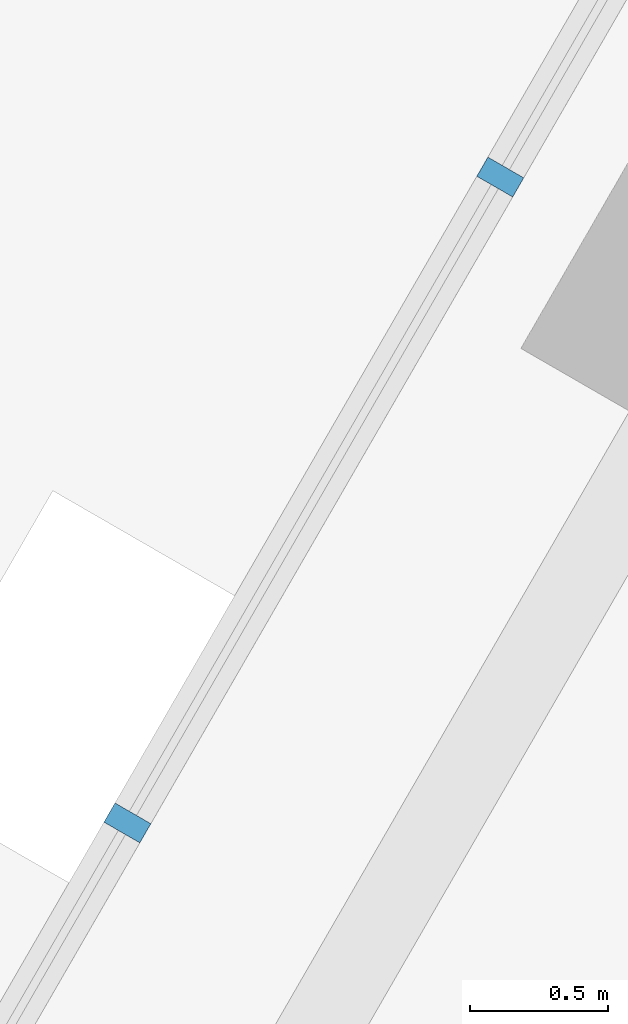
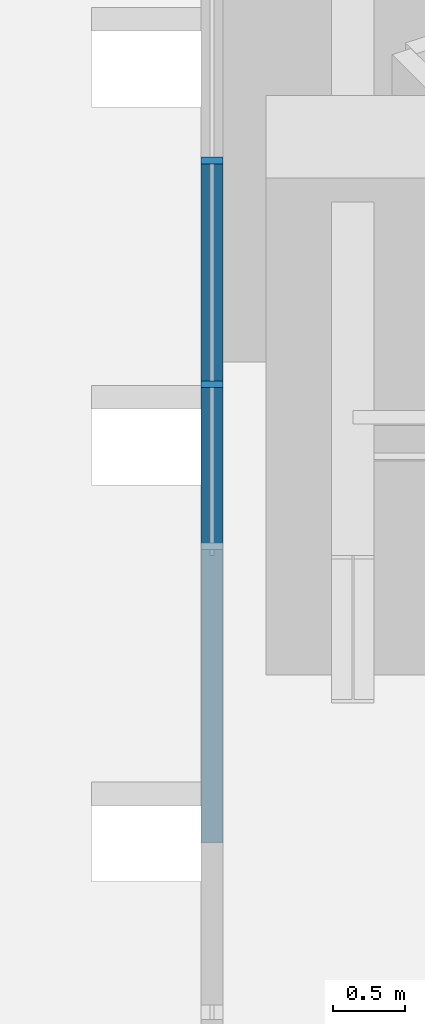
# One storey, part 7 of 25: 2 members, 1 element without a shape of its own.
"""IFC4 building model written with IfcOpenShell, lengths in metres."""

from ifc_helpers import new_model, si_unit, direction, frame, origin, origin_2d, place, context, subcontext, project, spatial, rectangle, extrude, material, layer, layer_set, material_profile, profile_set, type_object, element, aggregate, save


model = new_model("IFC4")

# Units and contexts
model_context = context("Model", 3, precision=1e-05, world=origin(), true_north=direction((0.0, 1.0)))
body_context = subcontext(model_context, "Body", "Model", "MODEL_VIEW")
ifc_project = project(units=[si_unit("LENGTHUNIT", "METRE"), si_unit("AREAUNIT", "SQUARE_METRE"), si_unit("VOLUMEUNIT", "CUBIC_METRE"), si_unit("PLANEANGLEUNIT", "RADIAN"), si_unit("MASSUNIT", "GRAM", prefix="KILO")], contexts=[model_context])

# Site, building, storey
site_placement = place(None, origin())
site = spatial("IfcSite", under=ifc_project, at=site_placement, CompositionType="ELEMENT")
building_placement = place(site_placement, origin())
building = spatial("IfcBuilding", under=site, at=building_placement, Name="Firuza Gate Tower and Library", CompositionType="ELEMENT")
storey_placement = place(building_placement, frame((0.0, 0.0, 119.800048828125)))
storey = spatial("IfcBuildingStorey", under=building, at=storey_placement, Name="L27", CompositionType="ELEMENT", Elevation=119.800048828125)

# Curtain wall, members
ifc_material_1 = material(Name="Aluminium 6063-T6", Category="aluminium")
ifc_layer = layer(ifc_material_1, 0.14990234375)
ifc_layer_set = layer_set([ifc_layer], Name="Unitised curtain wall, offices")
curtain_wall_type = type_object("IfcCurtainWallType", Name="Unitised curtain wall, offices", PredefinedType="NOTDEFINED", material=ifc_layer_set)
curtain_wall_placement = place(storey_placement, origin())
curtain_wall = element("IfcCurtainWall", 1, at=curtain_wall_placement, inside=storey, type_object=curtain_wall_type, Name="CW1 L27 W face", PredefinedType="NOTDEFINED")
ifc_material_2 = material(Name="Aluminium 6063-T6", Category="aluminium")
ifc_material_profile = material_profile(ifc_material_2, rectangle(XDim=0.14990234375, YDim=0.080078125, at=origin_2d()))
ifc_profile_set = profile_set([ifc_material_profile], Name="Aluminium 6063-T6")
member_type = type_object("IfcMemberType", Name="Curtain wall mullion 80x150", PredefinedType="MULLION", material=ifc_profile_set)
member_1_placement = place(storey_placement, frame((57.37744140625, 85.17431640625, 0.14990234375), z_axis=(0.0, 0.0, 1.0), x_axis=(0.866025403784, -0.5, 0.0)))
member_1 = element("IfcMember", 2, at=member_1_placement, type_object=member_type, Name="Mullion", PredefinedType="MULLION", context=body_context, shape_type="SweptSolid", body=[
    extrude(rectangle(XDim=0.14990234375, YDim=0.080078125, at=origin_2d()), origin(), (0.0, 0.0, 1.0), 3.85009765625),
])
member_2_placement = place(storey_placement, frame((56.027099609375, 82.83544921875, 0.14990234375), z_axis=(0.0, 0.0, 1.0), x_axis=(0.866025403784, -0.5, 0.0)))
member_2 = element("IfcMember", 3, at=member_2_placement, type_object=member_type, Name="Mullion", PredefinedType="MULLION", context=body_context, shape_type="SweptSolid", body=[
    extrude(rectangle(XDim=0.14990234375, YDim=0.080078125, at=origin_2d()), origin(), (0.0, 0.0, 1.0), 3.85009765625),
])
aggregate(curtain_wall, [member_1, member_2])

save(model, "model.ifc")
